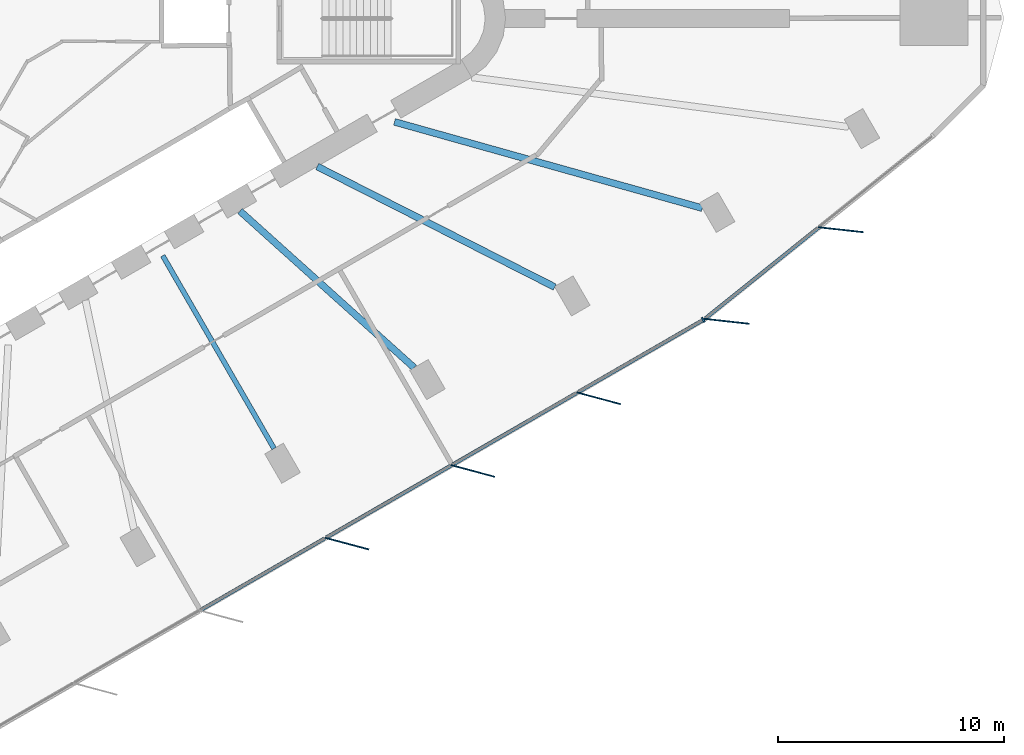
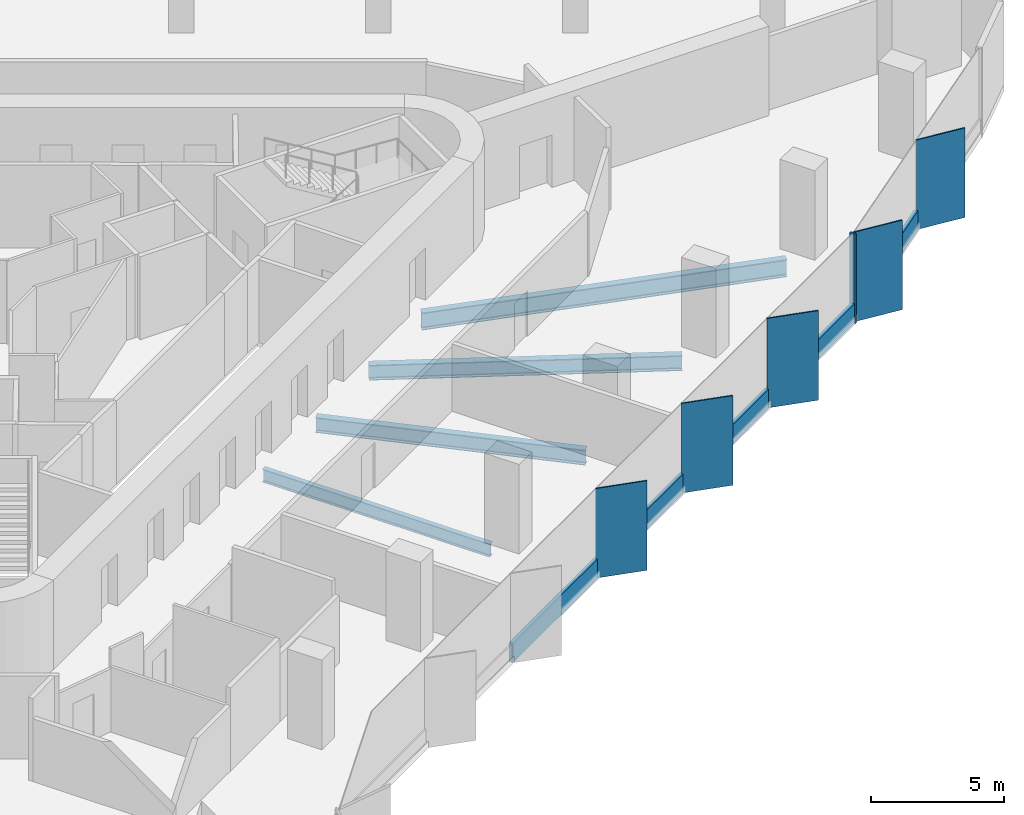
# One storey, part 3 of 15: 11 members, 4 beams, 2 elements without a shape of their own.
"""IFC4 building model written with IfcOpenShell, lengths in metres."""

from ifc_helpers import new_model, si_unit, direction, frame, origin, origin_2d, place, context, subcontext, project, spatial, rectangle, i_section, extrude, material, material_profile, profile_set, type_object, element, aggregate, save


model = new_model("IFC4")

# Units and contexts
model_context = context("Model", 3, precision=1e-05, world=origin(), true_north=direction((0.0, 1.0)))
body_context = subcontext(model_context, "Body", "Model", "MODEL_VIEW")
ifc_project = project(units=[si_unit("LENGTHUNIT", "METRE"), si_unit("AREAUNIT", "SQUARE_METRE"), si_unit("VOLUMEUNIT", "CUBIC_METRE"), si_unit("PLANEANGLEUNIT", "RADIAN"), si_unit("MASSUNIT", "GRAM", prefix="KILO")], contexts=[model_context])

# Site, building, storey
site_placement = place(None, origin())
site = spatial("IfcSite", under=ifc_project, at=site_placement, CompositionType="ELEMENT")
building_placement = place(site_placement, origin())
building = spatial("IfcBuilding", under=site, at=building_placement, Name="Tanit Gate Tower", CompositionType="ELEMENT")
storey_placement = place(building_placement, frame((0.0, 0.0, 139.800048828125)))
storey = spatial("IfcBuildingStorey", under=building, at=storey_placement, Name="L30", CompositionType="ELEMENT", Elevation=139.800048828125)

# Curtain wall, members
ifc_material_1 = material(Name="Aluminium bronze anodised and glass", Category="aluminium")
curtain_wall_type = type_object("IfcCurtainWallType", Name="Curtain wall typical low", PredefinedType="NOTDEFINED", material=ifc_material_1)
curtain_wall_1_placement = place(storey_placement, origin())
curtain_wall_1 = element("IfcCurtainWall", 1, at=curtain_wall_1_placement, inside=storey, type_object=curtain_wall_type, Name="Curtain wall L30 SE2", PredefinedType="NOTDEFINED")
ifc_material_2 = material(Name="Aluminium bronze anodised", Category="aluminium")
ifc_material_profile_1 = material_profile(ifc_material_2, rectangle(XDim=2.0, YDim=0.055908203125, at=origin_2d()), Name="56x2000 bronze fin mullion")
ifc_profile_set_1 = profile_set([ifc_material_profile_1], Name="Aluminium bronze anodised")
member_type_1 = type_object("IfcMemberType", Name="FIN MULLION 56x2000 bronze", PredefinedType="MULLION", material=ifc_profile_set_1)
member_1_placement = place(storey_placement, frame((14.1943359375, -23.203125, -0.300048828125), z_axis=(0.0, 0.0, 1.0), x_axis=(-0.965907877772, 0.258886020591, 0.0)))
member_1 = element("IfcMember", 2, at=member_1_placement, type_object=member_type_1, Name="Fin mullion L30 SE2.4", PredefinedType="MULLION", context=body_context, shape_type="SweptSolid", body=[
    extrude(rectangle(XDim=2.0, YDim=0.055908203125, at=origin_2d()), origin(), (0.0, 0.0, 1.0), 4.10009765625),
])
member_2_placement = place(storey_placement, frame((19.75634765625, -19.992431640625, -0.300048828125), z_axis=(0.0, 0.0, 1.0), x_axis=(-0.965907877772, 0.258886020591, 0.0)))
member_2 = element("IfcMember", 3, at=member_2_placement, type_object=member_type_1, Name="Fin mullion L30 SE2.5", PredefinedType="MULLION", context=body_context, shape_type="SweptSolid", body=[
    extrude(rectangle(XDim=2.0, YDim=0.055908203125, at=origin_2d()), origin(), (0.0, 0.0, 1.0), 4.10009765625),
])
member_3_placement = place(storey_placement, frame((25.318115234375, -16.78173828125, -0.300048828125), z_axis=(0.0, 0.0, 1.0), x_axis=(-0.965907877772, 0.258886020591, 0.0)))
member_3 = element("IfcMember", 4, at=member_3_placement, type_object=member_type_1, Name="Fin mullion L30 SE2.6", PredefinedType="MULLION", context=body_context, shape_type="SweptSolid", body=[
    extrude(rectangle(XDim=2.0, YDim=0.055908203125, at=origin_2d()), origin(), (0.0, 0.0, 1.0), 4.10009765625),
])

curtain_wall_2_placement = place(storey_placement, origin())
curtain_wall_2 = element("IfcCurtainWall", 5, at=curtain_wall_2_placement, inside=storey, type_object=curtain_wall_type, Name="Curtain wall L30 SE3", PredefinedType="NOTDEFINED")
member_4_placement = place(storey_placement, frame((30.9736328125, -13.37939453125, -0.300048828125), z_axis=(0.0, 0.0, 1.0), x_axis=(-0.994043583052, 0.108983278505, 0.0)))
member_4 = element("IfcMember", 6, at=member_4_placement, type_object=member_type_1, Name="Fin mullion L30 SE3.1", PredefinedType="MULLION", context=body_context, shape_type="SweptSolid", body=[
    extrude(rectangle(XDim=2.0, YDim=0.055908203125, at=origin_2d()), origin(), (0.0, 0.0, 1.0), 4.10009765625),
])
member_5_placement = place(storey_placement, frame((36.01708984375, -9.33251953125, -0.300048828125), z_axis=(0.0, 0.0, 1.0), x_axis=(-0.994043583052, 0.108983278505, 0.0)))
member_5 = element("IfcMember", 7, at=member_5_placement, type_object=member_type_1, Name="Fin mullion L30 SE3.2", PredefinedType="MULLION", context=body_context, shape_type="SweptSolid", body=[
    extrude(rectangle(XDim=2.0, YDim=0.055908203125, at=origin_2d()), origin(), (0.0, 0.0, 1.0), 4.10009765625),
])

# Member
ifc_material_3 = material(Name="Aluminium bronze anodised", Category="aluminium")
ifc_material_profile_2 = material_profile(ifc_material_3, rectangle(XDim=0.239990234375, YDim=0.080078125, at=origin_2d()), Name="80x240 bronze mullion")
ifc_profile_set_2 = profile_set([ifc_material_profile_2], Name="Aluminium bronze anodised")
member_type_2 = type_object("IfcMemberType", Name="Mullion 80x240 typical low", PredefinedType="MULLION", material=ifc_profile_set_2)
member_6_placement = place(storey_placement, frame((29.93603515625, -13.31787109375, -0.300048828125), z_axis=(0.0, 0.0, 1.0), x_axis=(-0.49993994966, 0.866060071089, 0.0)))
member_6 = element("IfcMember", 8, at=member_6_placement, type_object=member_type_2, Name="Mullion L30 SE2.7", PredefinedType="MULLION", context=body_context, shape_type="SweptSolid", body=[
    extrude(rectangle(XDim=0.239990234375, YDim=0.080078125, at=origin_2d()), origin(), (0.0, 0.0, 1.0), 4.10009765625),
])

# Beams
ifc_material_4 = material(Name="Steel S355", Category="steel")
ifc_material_profile_3 = material_profile(ifc_material_4, i_section(OverallWidth=0.300048828125, OverallDepth=0.68994140625, WebThickness=0.014404296875, FlangeThickness=0.027099609375, FilletRadius=0.027099609375, at=origin_2d()), Name="HEA 700")
ifc_profile_set_3 = profile_set([ifc_material_profile_3], Name="Steel S355")
beam_type_1 = type_object("IfcBeamType", Name="RADIAL GIRDER HEA 700 S355", PredefinedType="BEAM", material=ifc_profile_set_3)
beam_1_placement = place(storey_placement, frame((17.16015625, -15.427978515625, -0.64501953125), z_axis=(-0.743635434567, 0.668585327731, 0.0), x_axis=(-0.668585327731, -0.743635434567, 0.0)))
element("IfcBeam", 9, at=beam_1_placement, inside=storey, type_object=beam_type_1, Name="RADIAL GIRDER", PredefinedType="BEAM", context=body_context, shape_type="SweptSolid", body=[
    extrude(i_section(OverallWidth=0.300048828125, OverallDepth=0.68994140625, WebThickness=0.014404296875, FlangeThickness=0.027099609375, FilletRadius=0.027099609375, at=origin_2d()), origin(), (0.0, 0.0, 1.0), 10.347900390625),
])
beam_2_placement = place(storey_placement, frame((23.3720703125, -11.865966796875, -0.64501953125), z_axis=(-0.891663548412, 0.452698703813, 0.0), x_axis=(-0.452698703813, -0.891663548412, 0.0)))
element("IfcBeam", 10, at=beam_2_placement, inside=storey, type_object=beam_type_1, Name="RADIAL GIRDER", PredefinedType="BEAM", context=body_context, shape_type="SweptSolid", body=[
    extrude(i_section(OverallWidth=0.300048828125, OverallDepth=0.68994140625, WebThickness=0.014404296875, FlangeThickness=0.027099609375, FilletRadius=0.027099609375, at=origin_2d()), origin(), (0.0, 0.0, 1.0), 11.76806640625),
])
ifc_material_5 = material(Name="Steel S355", Category="steel")
ifc_material_profile_4 = material_profile(ifc_material_5, i_section(OverallWidth=0.300048828125, OverallDepth=0.7900390625, WebThickness=0.014892578125, FlangeThickness=0.028076171875, FilletRadius=0.030029296875, at=origin_2d()), Name="HEA 800")
ifc_profile_set_4 = profile_set([ifc_material_profile_4], Name="Steel S355")
beam_type_2 = type_object("IfcBeamType", Name="RADIAL GIRDER HEA 800 S355", PredefinedType="BEAM", material=ifc_profile_set_4)
beam_3_placement = place(storey_placement, frame((29.894775390625, -8.380615234375, -0.695068359375), z_axis=(-0.962877094129, 0.269940181523, 0.0), x_axis=(-0.269940181523, -0.962877094129, 0.0)))
element("IfcBeam", 11, at=beam_3_placement, inside=storey, type_object=beam_type_2, Name="RADIAL GIRDER", PredefinedType="BEAM", context=body_context, shape_type="SweptSolid", body=[
    extrude(i_section(OverallWidth=0.300048828125, OverallDepth=0.7900390625, WebThickness=0.014892578125, FlangeThickness=0.028076171875, FilletRadius=0.030029296875, at=origin_2d()), origin(), (0.0, 0.0, 1.0), 14.126220703125),
])
ifc_material_6 = material(Name="Steel S355", Category="steel")
ifc_material_profile_5 = material_profile(ifc_material_6, i_section(OverallWidth=0.219970703125, OverallDepth=0.60009765625, WebThickness=0.011962890625, FlangeThickness=0.01904296875, FilletRadius=0.02392578125, at=origin_2d()), Name="IPE 600")
ifc_profile_set_5 = profile_set([ifc_material_profile_5], Name="Steel S355")
beam_type_3 = type_object("IfcBeamType", Name="RADIAL GIRDER IPE 600 S355", PredefinedType="BEAM", material=ifc_profile_set_5)
beam_4_placement = place(storey_placement, frame((10.970703125, -19.001708984375, -0.60009765625), z_axis=(-0.500005971936, 0.866021955858, 0.0), x_axis=(-0.866021955858, -0.500005971936, 0.0)))
element("IfcBeam", 12, at=beam_4_placement, inside=storey, type_object=beam_type_3, Name="RADIAL GIRDER", PredefinedType="BEAM", context=body_context, shape_type="SweptSolid", body=[
    extrude(i_section(OverallWidth=0.219970703125, OverallDepth=0.60009765625, WebThickness=0.011962890625, FlangeThickness=0.01904296875, FilletRadius=0.02392578125, at=origin_2d()), origin(), (0.0, 0.0, 1.0), 9.83935546875),
])

# Member
ifc_material_7 = material(Name="Aluminium bronze anodised", Category="aluminium")
ifc_material_profile_6 = material_profile(ifc_material_7, rectangle(XDim=0.159912109375, YDim=0.89990234375, at=origin_2d()), Name="160x900 bronze transom")
ifc_profile_set_6 = profile_set([ifc_material_profile_6], Name="Aluminium bronze anodised")
member_type_3 = type_object("IfcMemberType", Name="Transom 160x900 typical low", PredefinedType="USERDEFINED", material=ifc_profile_set_6)
member_7_placement = place(storey_placement, frame((7.722900390625, -26.140625, 0.14990234375), z_axis=(0.866062512225, 0.499935720787, 0.0), x_axis=(-0.499935720787, 0.866062512225, 0.0)))
member_7 = element("IfcMember", 13, at=member_7_placement, type_object=member_type_3, Name="Transom L30 SE2.3", ObjectType="TRANSOM", PredefinedType="USERDEFINED", context=body_context, shape_type="SweptSolid", body=[
    extrude(rectangle(XDim=0.159912109375, YDim=0.89990234375, at=origin_2d()), origin(), (0.0, 0.0, 1.0), 6.342041015625),
])

member_8_placement = place(storey_placement, frame((13.284912109375, -22.929931640625, 0.14990234375), z_axis=(0.866062512225, 0.499935720787, 0.0), x_axis=(-0.499935720787, 0.866062512225, 0.0)))
member_8 = element("IfcMember", 14, at=member_8_placement, type_object=member_type_3, Name="Transom L30 SE2.4", ObjectType="TRANSOM", PredefinedType="USERDEFINED", context=body_context, shape_type="SweptSolid", body=[
    extrude(rectangle(XDim=0.159912109375, YDim=0.89990234375, at=origin_2d()), origin(), (0.0, 0.0, 1.0), 6.342041015625),
])

member_9_placement = place(storey_placement, frame((18.8466796875, -19.71923828125, 0.14990234375), z_axis=(0.866072133042, 0.499919053816, 0.0), x_axis=(-0.499919053816, 0.866072133042, 0.0)))
member_9 = element("IfcMember", 15, at=member_9_placement, type_object=member_type_3, Name="Transom L30 SE2.5", ObjectType="TRANSOM", PredefinedType="USERDEFINED", context=body_context, shape_type="SweptSolid", body=[
    extrude(rectangle(XDim=0.159912109375, YDim=0.89990234375, at=origin_2d()), origin(), (0.0, 0.0, 1.0), 6.34228515625),
])

member_10_placement = place(storey_placement, frame((24.40869140625, -16.508544921875, 0.14990234375), z_axis=(0.866072133042, 0.499919053816, 0.0), x_axis=(-0.499919053816, 0.866072133042, 0.0)))
member_10 = element("IfcMember", 16, at=member_10_placement, type_object=member_type_3, Name="Transom L30 SE2.6", ObjectType="TRANSOM", PredefinedType="USERDEFINED", context=body_context, shape_type="SweptSolid", body=[
    extrude(rectangle(XDim=0.159912109375, YDim=0.89990234375, at=origin_2d()), origin(), (0.0, 0.0, 1.0), 6.34228515625),
])

aggregate(curtain_wall_1, [member_1, member_2, member_3, member_6, member_7, member_8, member_9, member_10])

member_11_placement = place(storey_placement, frame((30.033203125, -13.247802734375, 0.14990234375), z_axis=(0.779961709235, 0.625827238244, 0.0), x_axis=(-0.625827238244, 0.779961709235, 0.0)))
member_11 = element("IfcMember", 17, at=member_11_placement, type_object=member_type_3, Name="Transom L30 SE3.1", ObjectType="TRANSOM", PredefinedType="USERDEFINED", context=body_context, shape_type="SweptSolid", body=[
    extrude(rectangle(XDim=0.159912109375, YDim=0.89990234375, at=origin_2d()), origin(), (0.0, 0.0, 1.0), 6.386474609375),
])

aggregate(curtain_wall_2, [member_4, member_5, member_11])

save(model, "model.ifc")
